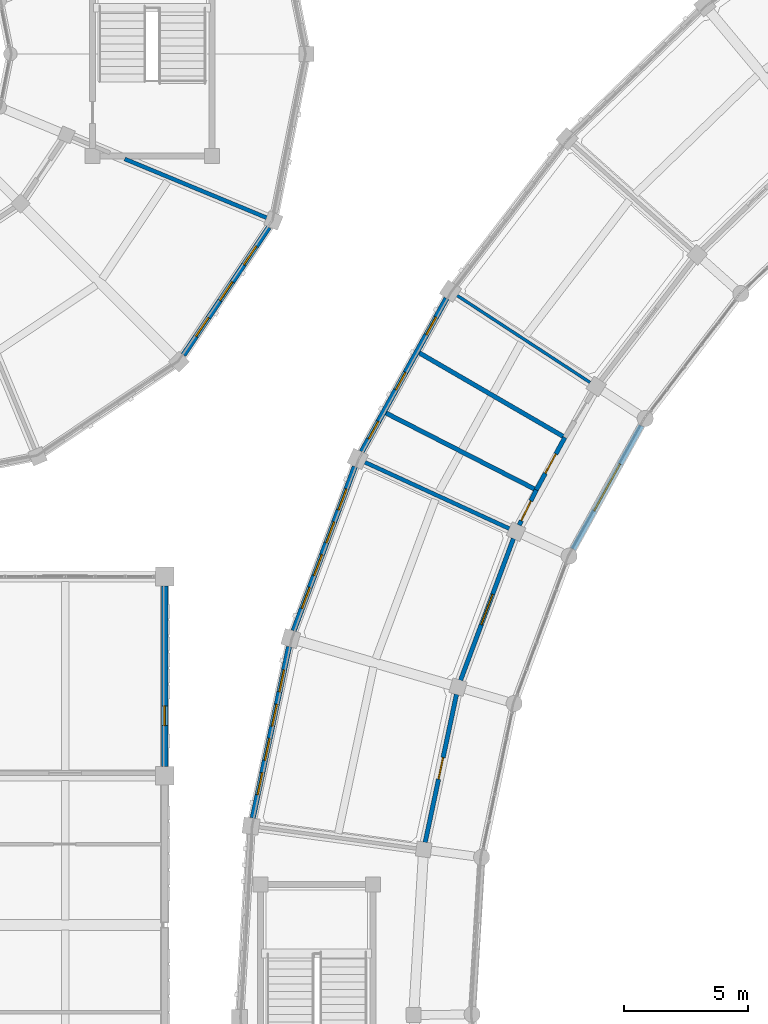
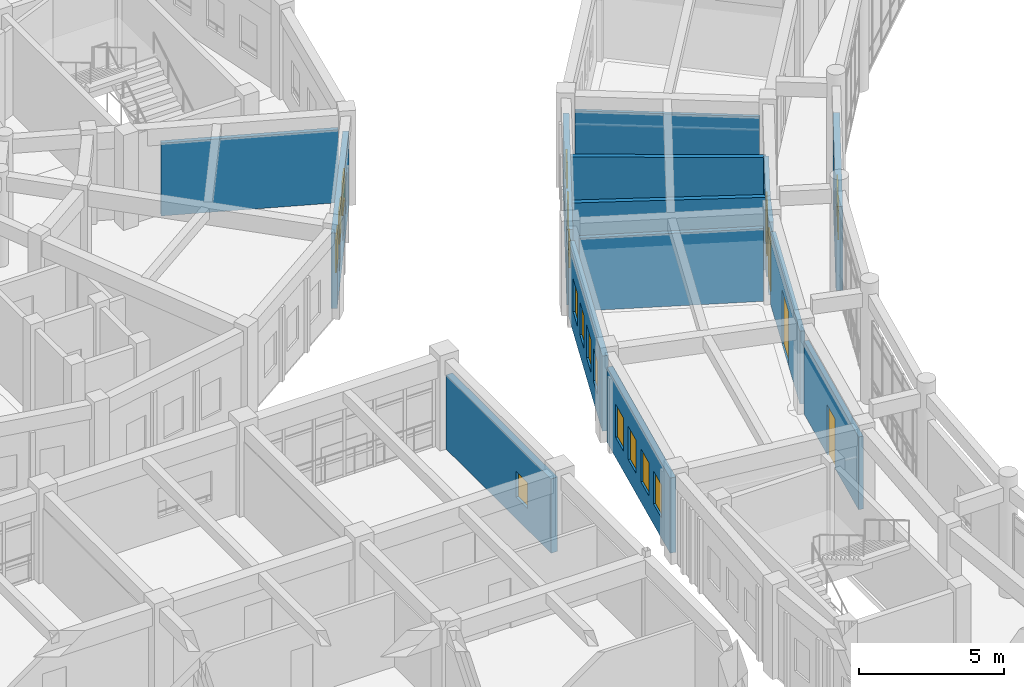
# One storey, part 128 of 159: 16 windows, 15 walls, 4 doors, 20 openings.
"""IFC4 building model written with IfcOpenShell, lengths in metres."""

import ifcopenshell
import ifcopenshell.guid

model = None  # the IFC model being written
_history = None  # IfcOwnerHistory: only IFC2X3 demands one
_inside = {}  # id of a spatial element -> (the spatial element, [elements in it])
_under = {}  # id of a project, library or spatial element -> (it, [spatial elements below it])
_declared = {}  # id of a project -> (the project, [libraries it declares])
_typed = {}  # id of a type object -> (the type object, [elements of that type])
_made_of = {}  # id of a material, layer set ... -> (it, [elements and type objects made of it])


def new_model(schema):
    """Start an empty IFC model of exactly this schema.

    Asked for "IFC4X3", IfcOpenShell would pick the latest addendum, in which some entities
    have other attributes; the version numbers below select the first issue.
    IFC2X3 requires an IfcOwnerHistory on every rooted entity: one is made here for all.
    """
    global model, _history
    if schema == "IFC4X3":
        model = ifcopenshell.file(schema_version=(4, 3, 0, 0))
    else:
        model = ifcopenshell.file(schema=schema)
    _inside.clear()
    _under.clear()
    _declared.clear()
    _typed.clear()
    _made_of.clear()
    _history = None
    if model.schema == "IFC2X3":
        org = make("IfcOrganization", Name="unknown")
        user = make(
            "IfcPersonAndOrganization",
            ThePerson=make("IfcPerson", FamilyName="unknown"),
            TheOrganization=org,
        )
        app = make(
            "IfcApplication",
            ApplicationDeveloper=org,
            Version="unknown",
            ApplicationFullName="unknown",
            ApplicationIdentifier="unknown",
        )
        _history = make(
            "IfcOwnerHistory",
            OwningUser=user,
            OwningApplication=app,
            ChangeAction="ADDED",
            CreationDate=0,
        )
    return model


def make(cls, **values):
    """One entity of the class cls with the attributes given. An attribute that is None is left unset."""
    return model.create_entity(
        cls, **{name: value for name, value in values.items() if value is not None}
    )


def rooted(cls, **values):
    """An entity with a GlobalId (a new one), such as an element, a storey or a relation."""
    return make(cls, GlobalId=ifcopenshell.guid.new(), OwnerHistory=_history, **values)


def si_unit(unit_type, name, prefix=None):
    """IfcSIUnit, for example si_unit("LENGTHUNIT", "METRE", prefix="MILLI")."""
    return make("IfcSIUnit", UnitType=unit_type, Prefix=prefix, Name=name)


def assignment(units):
    """IfcUnitAssignment: the units of a project."""
    return None if units is None else make("IfcUnitAssignment", Units=units)


def point(xyz):
    """IfcCartesianPoint."""
    return None if xyz is None else make("IfcCartesianPoint", Coordinates=xyz)


def direction(xyz):
    """IfcDirection."""
    return None if xyz is None else make("IfcDirection", DirectionRatios=xyz)


def frame(location, z_axis=None, x_axis=None):
    """IfcAxis2Placement3D, a coordinate frame: its origin and axes. An axis left out is left unset."""
    return make(
        "IfcAxis2Placement3D",
        Location=point(location),
        Axis=direction(z_axis),
        RefDirection=direction(x_axis),
    )


def frame_2d(location, x_axis=None):
    """IfcAxis2Placement2D, a coordinate frame in the plane: its origin and x axis."""
    return make(
        "IfcAxis2Placement2D", Location=point(location), RefDirection=direction(x_axis)
    )


def origin():
    """The frame at (0, 0, 0) with its axes left unset."""
    return frame((0.0, 0.0, 0.0))


def place(relative_to, where):
    """IfcLocalPlacement: puts the frame where relative to a parent placement (None: the world)."""
    return make(
        "IfcLocalPlacement", PlacementRelTo=relative_to, RelativePlacement=where
    )


def context(
    kind, dimensions, precision=None, world=None, true_north=None, identifier=None
):
    """IfcGeometricRepresentationContext, for example the 3D "Model" context."""
    return make(
        "IfcGeometricRepresentationContext",
        ContextIdentifier=identifier,
        ContextType=kind,
        CoordinateSpaceDimension=dimensions,
        Precision=precision,
        WorldCoordinateSystem=world,
        TrueNorth=true_north,
    )


def subcontext(parent, identifier, kind, view, scale=None):
    """IfcGeometricRepresentationSubContext, for example "Body" below "Model"."""
    return make(
        "IfcGeometricRepresentationSubContext",
        ContextIdentifier=identifier,
        ContextType=kind,
        ParentContext=parent,
        TargetScale=scale,
        TargetView=view,
    )


def project(units=None, contexts=None):
    """IfcProject with its units and contexts."""
    return rooted(
        "IfcProject",
        Name="project",
        RepresentationContexts=contexts,
        UnitsInContext=assignment(units),
    )


def spatial(cls, under=None, at=None, **own):
    """A site, building, storey or space (cls), placed at a placement, below another one or the project."""
    s = rooted(cls, ObjectPlacement=at, **own)
    if under is not None:
        _under.setdefault(under.id(), (under, []))[1].append(s)
    return s


def profile(cls, at=None, kind="AREA", **sizes):
    """A parametric profile (cls). Its sizes go by their IFC names, for example OverallWidth=200.0."""
    return make(cls, ProfileType=kind, Position=at, **sizes)


def rectangle(**sizes):
    """IfcRectangleProfileDef."""
    return profile("IfcRectangleProfileDef", **sizes)


def extrude(swept, where, along, depth):
    """IfcExtrudedAreaSolid: the profile swept, set in the frame where, extruded along a direction by depth."""
    return make(
        "IfcExtrudedAreaSolid",
        SweptArea=swept,
        Position=where,
        ExtrudedDirection=direction(along),
        Depth=depth,
    )


def shape(context_of_items, identifier, shape_type, items):
    """IfcShapeRepresentation: the items that make up one representation, for example the "Body"."""
    return make(
        "IfcShapeRepresentation",
        ContextOfItems=context_of_items,
        RepresentationIdentifier=identifier,
        RepresentationType=shape_type,
        Items=items,
    )


def material(Name=None, Category=None):
    """IfcMaterial."""
    return make("IfcMaterial", Name=Name, Category=Category)


def layer(
    of_material, thickness, ventilated=None, Name=None, Category=None, Priority=None
):
    """IfcMaterialLayer: one layer of a wall or slab, of a material (None: an air gap)."""
    return make(
        "IfcMaterialLayer",
        Material=of_material,
        LayerThickness=thickness,
        IsVentilated=ventilated,
        Name=Name,
        Category=Category,
        Priority=Priority,
    )


def layer_set(layers, Name=None):
    """IfcMaterialLayerSet."""
    return make("IfcMaterialLayerSet", MaterialLayers=layers, LayerSetName=Name)


def made_of(thing, what):
    """Note that an element or type object is made of a material, layer set ...; save() writes the relation."""
    if what is not None:
        _made_of.setdefault(what.id(), (what, []))[1].append(thing)
    return thing


def type_object(cls, material=None, **own):
    """A type object (cls), such as IfcWallType, which elements share."""
    return made_of(rooted(cls, **own), material)


def element(
    cls,
    number,
    at=None,
    inside=None,
    cuts=None,
    type_object=None,
    material=None,
    context=None,
    identifier="Body",
    shape_type=None,
    held_by="IfcProductDefinitionShape",
    body=None,
    shapes=None,
    **own,
):
    """One element of the class cls, such as IfcWall. Its Tag is "e" and its number.

    at: its placement. inside: the storey or other place that contains it. cuts: it is an
    opening in that element (IfcRelVoidsElement). A single representation is given by context,
    identifier, shape_type and body (its items); several are given by shapes. held_by: the class
    of the entity that holds the representations. save() writes the other relations.
    """
    e = rooted(cls, Tag="e%d" % number, ObjectPlacement=at, **own)
    if body is not None:
        shapes = [shape(context, identifier, shape_type, body)]
    if shapes is not None:
        e.Representation = make(held_by, Representations=shapes)
    if inside is not None:
        _inside.setdefault(inside.id(), (inside, []))[1].append(e)
    if cuts is not None:
        rooted(
            "IfcRelVoidsElement", RelatingBuildingElement=cuts, RelatedOpeningElement=e
        )
    if type_object is not None:
        _typed.setdefault(type_object.id(), (type_object, []))[1].append(e)
    return made_of(e, material)


def fill(opening, filler):
    """IfcRelFillsElement: the door or window that sits in an opening."""
    return rooted(
        "IfcRelFillsElement",
        RelatingOpeningElement=opening,
        RelatedBuildingElement=filler,
    )


def aggregate(whole, parts):
    """IfcRelAggregates: a whole, such as a stair, and the parts it consists of."""
    return rooted("IfcRelAggregates", RelatingObject=whole, RelatedObjects=parts)


def save(model, path):
    """Write the relations noted so far, then the file.

    IfcRelAggregates (storeys below a building ...), IfcRelContainedInSpatialStructure (elements
    in a storey), IfcRelDefinesByType, IfcRelAssociatesMaterial and IfcRelDeclares: one each for
    every whole, place, type object, material and project.
    """
    for whole, parts in _under.values():
        aggregate(whole, parts)
    for where, things in _inside.values():
        rooted(
            "IfcRelContainedInSpatialStructure",
            RelatedElements=things,
            RelatingStructure=where,
        )
    for kind, things in _typed.values():
        rooted("IfcRelDefinesByType", RelatedObjects=things, RelatingType=kind)
    for what, things in _made_of.values():
        rooted("IfcRelAssociatesMaterial", RelatedObjects=things, RelatingMaterial=what)
    for by, libraries in _declared.values():
        rooted("IfcRelDeclares", RelatingContext=by, RelatedDefinitions=libraries)
    model.write(path)


model = new_model("IFC4")

# Units and contexts
model_context = context("Model", 3, precision=1e-05, world=origin(), true_north=direction((0.0, 1.0)))
body_context = subcontext(model_context, "Body", "Model", "MODEL_VIEW")
ifc_project = project(units=[si_unit("LENGTHUNIT", "METRE"), si_unit("AREAUNIT", "SQUARE_METRE"), si_unit("VOLUMEUNIT", "CUBIC_METRE"), si_unit("PLANEANGLEUNIT", "RADIAN"), si_unit("MASSUNIT", "GRAM", prefix="KILO")], contexts=[model_context])

# Site, building, storey
site_placement = place(None, origin())
site = spatial("IfcSite", under=ifc_project, at=site_placement, CompositionType="ELEMENT")
building_placement = place(site_placement, origin())
building = spatial("IfcBuilding", under=site, at=building_placement, Name="Celadon Cloister-Ring School", CompositionType="ELEMENT")
storey_placement = place(building_placement, frame((0.0, 0.0, 4.5)))
storey = spatial("IfcBuildingStorey", under=building, at=storey_placement, Name="L01", CompositionType="ELEMENT", Elevation=4.5)

# Wall, opening, window
ifc_material_1 = material(Name="Rendered concrete blockwork", Category="masonry")
ifc_layer_1 = layer(ifc_material_1, 0.260009765625)
ifc_layer_set_1 = layer_set([ifc_layer_1], Name="Rendered concrete blockwork")
wall_type_1 = type_object("IfcWallType", Name="WT-EX2", PredefinedType="SOLIDWALL", material=ifc_layer_set_1)
wall_1_placement = place(storey_placement, frame((32.0, 75.623046875, 0.0), z_axis=(0.0, 0.0, 1.0), x_axis=(0.0, -1.0, 0.0)))
wall_1 = element("IfcWall", 1, at=wall_1_placement, inside=storey, type_object=wall_type_1, Name="Exterior Wall 0503", PredefinedType="SOLIDWALL", context=body_context, shape_type="SweptSolid", body=[
    extrude(rectangle(XDim=7.24609375, YDim=0.260009765625, at=frame_2d((3.623046875, 0.0))), origin(), (0.0, 0.0, 1.0), 3.132080078125),
])
opening_1_placement = place(wall_1_placement, frame((4.81689453125, 0.0, 0.89990234375)))
opening_1 = element("IfcOpeningElement", 2, at=opening_1_placement, cuts=wall_1, Name="Opening WN-01", PredefinedType="OPENING", context=body_context, shape_type="SweptSolid", body=[
    extrude(rectangle(XDim=0.800048828125, YDim=1.10009765625, at=frame_2d((0.39990234375, 0.550048828125))), frame((0.0, 0.14013671875, 0.0), z_axis=(0.0, -1.0, 0.0), x_axis=(1.0, 0.0, 0.0)), (0.0, 0.0, 1.0), 0.280029296875),
])
ifc_material_2 = material(Name="Tempered laminated insulating glass", Category="glass")
window_type_1 = type_object("IfcWindowType", Name="WN-01", PartitioningType="SINGLE_PANEL", PredefinedType="WINDOW", material=ifc_material_2)
window_1_placement = place(opening_1_placement, origin())
window_1 = element("IfcWindow", 3, at=window_1_placement, inside=storey, type_object=window_type_1, Name="Window 1000", OverallHeight=1.10009765625, OverallWidth=0.800048828125, PartitioningType="SINGLE_PANEL", PredefinedType="WINDOW", context=body_context, shape_type="SweptSolid", body=[
    extrude(rectangle(XDim=0.800048828125, YDim=1.10009765625, at=frame_2d((0.39990234375, 0.550048828125))), frame((0.0, 0.030029296875, 0.0), z_axis=(0.0, -1.0, 0.0), x_axis=(1.0, 0.0, 0.0)), (0.0, 0.0, 1.0), 0.06005859375),
])
fill(opening_1, window_1)

ifc_material_3 = material(Name="Rendered concrete blockwork", Category="masonry")
ifc_layer_2 = layer(ifc_material_3, 0.239990234375)
ifc_layer_set_2 = layer_set([ifc_layer_2], Name="Rendered concrete blockwork")
wall_type_2 = type_object("IfcWallType", Name="WT-EX3", PredefinedType="SOLIDWALL", material=ifc_layer_set_2)
wall_2_placement = place(storey_placement, frame((51.15087890625, 82.06298828125, 0.0), z_axis=(0.0, 0.0, 1.0), x_axis=(-0.483955379171, -0.875092675647, 0.0)))
wall_2 = element("IfcWall", 4, at=wall_2_placement, inside=storey, type_object=wall_type_2, Name="Exterior Wall 0058", PredefinedType="SOLIDWALL", context=body_context, shape_type="SweptSolid", body=[
    extrude(rectangle(XDim=5.665771484375, YDim=0.239990234375, at=frame_2d((2.8330078125, 0.0))), origin(), (0.0, 0.0, 1.0), 3.550048828125),
])
opening_2_placement = place(wall_2_placement, frame((1.758056640625, 0.0, 0.89990234375)))
opening_2 = element("IfcOpeningElement", 5, at=opening_2_placement, cuts=wall_2, Name="Opening WN-19", PredefinedType="OPENING", context=body_context, shape_type="SweptSolid", body=[
    extrude(rectangle(XDim=2.14990234375, YDim=1.25, at=frame_2d((1.074951171875, 0.625))), frame((0.0, 0.1298828125, 0.0), z_axis=(0.0, -1.0, 0.0), x_axis=(1.0, 0.0, 0.0)), (0.0, 0.0, 1.0), 0.260009765625),
])
ifc_material_4 = material(Name="Tempered laminated insulating glass", Category="glass")
window_type_2 = type_object("IfcWindowType", Name="WN-19", PartitioningType="DOUBLE_PANEL_VERTICAL", PredefinedType="WINDOW", material=ifc_material_4)
window_2_placement = place(opening_2_placement, origin())
window_2 = element("IfcWindow", 6, at=window_2_placement, inside=storey, type_object=window_type_2, Name="Window 0144", OverallHeight=1.25, OverallWidth=2.14990234375, PartitioningType="SINGLE_PANEL", PredefinedType="WINDOW", context=body_context, shape_type="SweptSolid", body=[
    extrude(rectangle(XDim=2.14990234375, YDim=1.25, at=frame_2d((1.074951171875, 0.625))), frame((0.0, 0.030029296875, 0.0), z_axis=(0.0, -1.0, 0.0), x_axis=(1.0, 0.0, 0.0)), (0.0, 0.0, 1.0), 0.06005859375),
])
fill(opening_2, window_2)

# Wall, openings, windows
ifc_material_5 = material(Name="Perforated terracotta clay brick masonry", Category="masonry")
ifc_layer_3 = layer(ifc_material_5, 0.219970703125)
ifc_layer_set_3 = layer_set([ifc_layer_3], Name="Perforated terracotta clay brick masonry")
wall_type_3 = type_object("IfcWallType", Name="WT-EX4", PredefinedType="SOLIDWALL", material=ifc_layer_set_3)
wall_3_placement = place(storey_placement, frame((39.9189453125, 81.02001953125, 0.0), z_axis=(0.0, 0.0, 1.0), x_axis=(0.483873000068, 0.87513822897, 0.0)))
wall_3 = element("IfcWall", 7, at=wall_3_placement, inside=storey, type_object=wall_type_3, Name="Exterior Wall 0057", PredefinedType="SOLIDWALL", context=body_context, shape_type="SweptSolid", body=[
    extrude(rectangle(XDim=7.031005859375, YDim=0.219970703125, at=frame_2d((3.515625, 0.0))), origin(), (0.0, 0.0, 1.0), 3.172119140625),
])
opening_3_placement = place(wall_3_placement, frame((0.583984375, 0.0, 1.14990234375)))
opening_3 = element("IfcOpeningElement", 8, at=opening_3_placement, cuts=wall_3, Name="Opening WN-01", PredefinedType="OPENING", context=body_context, shape_type="SweptSolid", body=[
    extrude(rectangle(XDim=0.800048828125, YDim=1.10009765625, at=frame_2d((0.39990234375, 0.550048828125))), frame((0.0, 0.1201171875, 0.0), z_axis=(0.0, -1.0, 0.0), x_axis=(1.0, 0.0, 0.0)), (0.0, 0.0, 1.0), 0.239990234375),
])
opening_4_placement = place(wall_3_placement, frame((2.833984375, 0.0, 1.14990234375)))
opening_4 = element("IfcOpeningElement", 9, at=opening_4_placement, cuts=wall_3, Name="Opening WN-01", PredefinedType="OPENING", context=body_context, shape_type="SweptSolid", body=[
    extrude(rectangle(XDim=0.800048828125, YDim=1.10009765625, at=frame_2d((0.39990234375, 0.550048828125))), frame((0.0, 0.1201171875, 0.0), z_axis=(0.0, -1.0, 0.0), x_axis=(1.0, 0.0, 0.0)), (0.0, 0.0, 1.0), 0.239990234375),
])
opening_5_placement = place(wall_3_placement, frame((5.364990234375, 0.0, 1.14990234375)))
opening_5 = element("IfcOpeningElement", 10, at=opening_5_placement, cuts=wall_3, Name="Opening WN-01", PredefinedType="OPENING", context=body_context, shape_type="SweptSolid", body=[
    extrude(rectangle(XDim=0.800048828125, YDim=1.10009765625, at=frame_2d((0.39990234375, 0.550048828125))), frame((0.0, 0.1201171875, 0.0), z_axis=(0.0, -1.0, 0.0), x_axis=(1.0, 0.0, 0.0)), (0.0, 0.0, 1.0), 0.239990234375),
])
window_3_placement = place(opening_3_placement, origin())
window_3 = element("IfcWindow", 11, at=window_3_placement, inside=storey, type_object=window_type_1, Name="Window 0141", OverallHeight=1.10009765625, OverallWidth=0.800048828125, PartitioningType="SINGLE_PANEL", PredefinedType="WINDOW", context=body_context, shape_type="SweptSolid", body=[
    extrude(rectangle(XDim=0.800048828125, YDim=1.10009765625, at=frame_2d((0.39990234375, 0.550048828125))), frame((0.0, 0.030029296875, 0.0), z_axis=(0.0, -1.0, 0.0), x_axis=(1.0, 0.0, 0.0)), (0.0, 0.0, 1.0), 0.06005859375),
])
fill(opening_3, window_3)
window_4_placement = place(opening_4_placement, origin())
window_4 = element("IfcWindow", 12, at=window_4_placement, inside=storey, type_object=window_type_1, Name="Window 0142", OverallHeight=1.10009765625, OverallWidth=0.800048828125, PartitioningType="SINGLE_PANEL", PredefinedType="WINDOW", context=body_context, shape_type="SweptSolid", body=[
    extrude(rectangle(XDim=0.800048828125, YDim=1.10009765625, at=frame_2d((0.39990234375, 0.550048828125))), frame((0.0, 0.030029296875, 0.0), z_axis=(0.0, -1.0, 0.0), x_axis=(1.0, 0.0, 0.0)), (0.0, 0.0, 1.0), 0.06005859375),
])
fill(opening_4, window_4)
window_5_placement = place(opening_5_placement, origin())
window_5 = element("IfcWindow", 13, at=window_5_placement, inside=storey, type_object=window_type_1, Name="Window 0143", OverallHeight=1.10009765625, OverallWidth=0.800048828125, PartitioningType="SINGLE_PANEL", PredefinedType="WINDOW", context=body_context, shape_type="SweptSolid", body=[
    extrude(rectangle(XDim=0.800048828125, YDim=1.10009765625, at=frame_2d((0.39990234375, 0.550048828125))), frame((0.0, 0.030029296875, 0.0), z_axis=(0.0, -1.0, 0.0), x_axis=(1.0, 0.0, 0.0)), (0.0, 0.0, 1.0), 0.06005859375),
])
fill(opening_5, window_5)

wall_4_placement = place(storey_placement, frame((37.181884765625, 73.822998046875, 0.0), z_axis=(0.0, 0.0, 1.0), x_axis=(0.349448583385, 0.936955541939, 0.0)))
wall_4 = element("IfcWall", 14, at=wall_4_placement, inside=storey, type_object=wall_type_3, Name="Exterior Wall 0059", PredefinedType="SOLIDWALL", context=body_context, shape_type="SweptSolid", body=[
    extrude(rectangle(XDim=7.03125, YDim=0.219970703125, at=frame_2d((3.515625, 0.0))), origin(), (0.0, 0.0, 1.0), 3.172119140625),
])
opening_6_placement = place(wall_4_placement, frame((0.9560546875, 0.0, 0.85009765625)))
opening_6 = element("IfcOpeningElement", 15, at=opening_6_placement, cuts=wall_4, Name="Opening WN-21", PredefinedType="OPENING", context=body_context, shape_type="SweptSolid", body=[
    extrude(rectangle(XDim=0.89990234375, YDim=1.39990234375, at=frame_2d((0.449951171875, 0.699951171875))), frame((0.0, 0.1201171875, 0.0), z_axis=(0.0, -1.0, 0.0), x_axis=(1.0, 0.0, 0.0)), (0.0, 0.0, 1.0), 0.239990234375),
])
opening_7_placement = place(wall_4_placement, frame((2.363037109375, 0.0, 0.85009765625)))
opening_7 = element("IfcOpeningElement", 16, at=opening_7_placement, cuts=wall_4, Name="Opening WN-21", PredefinedType="OPENING", context=body_context, shape_type="SweptSolid", body=[
    extrude(rectangle(XDim=0.89990234375, YDim=1.39990234375, at=frame_2d((0.449951171875, 0.699951171875))), frame((0.0, 0.1201171875, 0.0), z_axis=(0.0, -1.0, 0.0), x_axis=(1.0, 0.0, 0.0)), (0.0, 0.0, 1.0), 0.239990234375),
])
opening_8_placement = place(wall_4_placement, frame((3.76904296875, 0.0, 0.85009765625)))
opening_8 = element("IfcOpeningElement", 17, at=opening_8_placement, cuts=wall_4, Name="Opening WN-21", PredefinedType="OPENING", context=body_context, shape_type="SweptSolid", body=[
    extrude(rectangle(XDim=0.89990234375, YDim=1.39990234375, at=frame_2d((0.449951171875, 0.699951171875))), frame((0.0, 0.1201171875, 0.0), z_axis=(0.0, -1.0, 0.0), x_axis=(1.0, 0.0, 0.0)), (0.0, 0.0, 1.0), 0.239990234375),
])
opening_9_placement = place(wall_4_placement, frame((5.175048828125, 0.0, 0.85009765625)))
opening_9 = element("IfcOpeningElement", 18, at=opening_9_placement, cuts=wall_4, Name="Opening WN-21", PredefinedType="OPENING", context=body_context, shape_type="SweptSolid", body=[
    extrude(rectangle(XDim=0.89990234375, YDim=1.39990234375, at=frame_2d((0.449951171875, 0.699951171875))), frame((0.0, 0.1201171875, 0.0), z_axis=(0.0, -1.0, 0.0), x_axis=(1.0, 0.0, 0.0)), (0.0, 0.0, 1.0), 0.239990234375),
])
ifc_material_6 = material(Name="Tempered laminated insulating glass", Category="glass")
window_type_3 = type_object("IfcWindowType", Name="WN-21", PartitioningType="SINGLE_PANEL", PredefinedType="WINDOW", material=ifc_material_6)
window_6_placement = place(opening_6_placement, origin())
window_6 = element("IfcWindow", 19, at=window_6_placement, inside=storey, type_object=window_type_3, Name="Window 0145", OverallHeight=1.39990234375, OverallWidth=0.89990234375, PartitioningType="SINGLE_PANEL", PredefinedType="WINDOW", context=body_context, shape_type="SweptSolid", body=[
    extrude(rectangle(XDim=0.89990234375, YDim=1.39990234375, at=frame_2d((0.449951171875, 0.699951171875))), frame((0.0, 0.030029296875, 0.0), z_axis=(0.0, -1.0, 0.0), x_axis=(1.0, 0.0, 0.0)), (0.0, 0.0, 1.0), 0.06005859375),
])
fill(opening_6, window_6)
window_7_placement = place(opening_7_placement, origin())
window_7 = element("IfcWindow", 20, at=window_7_placement, inside=storey, type_object=window_type_3, Name="Window 0146", OverallHeight=1.39990234375, OverallWidth=0.89990234375, PartitioningType="SINGLE_PANEL", PredefinedType="WINDOW", context=body_context, shape_type="SweptSolid", body=[
    extrude(rectangle(XDim=0.89990234375, YDim=1.39990234375, at=frame_2d((0.449951171875, 0.699951171875))), frame((0.0, 0.030029296875, 0.0), z_axis=(0.0, -1.0, 0.0), x_axis=(1.0, 0.0, 0.0)), (0.0, 0.0, 1.0), 0.06005859375),
])
fill(opening_7, window_7)
window_8_placement = place(opening_8_placement, origin())
window_8 = element("IfcWindow", 21, at=window_8_placement, inside=storey, type_object=window_type_3, Name="Window 0147", OverallHeight=1.39990234375, OverallWidth=0.89990234375, PartitioningType="SINGLE_PANEL", PredefinedType="WINDOW", context=body_context, shape_type="SweptSolid", body=[
    extrude(rectangle(XDim=0.89990234375, YDim=1.39990234375, at=frame_2d((0.449951171875, 0.699951171875))), frame((0.0, 0.030029296875, 0.0), z_axis=(0.0, -1.0, 0.0), x_axis=(1.0, 0.0, 0.0)), (0.0, 0.0, 1.0), 0.06005859375),
])
fill(opening_8, window_8)
window_9_placement = place(opening_9_placement, origin())
window_9 = element("IfcWindow", 22, at=window_9_placement, inside=storey, type_object=window_type_3, Name="Window 0148", OverallHeight=1.39990234375, OverallWidth=0.89990234375, PartitioningType="SINGLE_PANEL", PredefinedType="WINDOW", context=body_context, shape_type="SweptSolid", body=[
    extrude(rectangle(XDim=0.89990234375, YDim=1.39990234375, at=frame_2d((0.449951171875, 0.699951171875))), frame((0.0, 0.030029296875, 0.0), z_axis=(0.0, -1.0, 0.0), x_axis=(1.0, 0.0, 0.0)), (0.0, 0.0, 1.0), 0.06005859375),
])
fill(opening_9, window_9)

wall_5_placement = place(storey_placement, frame((35.5390625, 66.300048828125, 0.0), z_axis=(0.0, 0.0, 1.0), x_axis=(0.207081302077, 0.978323736976, 0.0)))
wall_5 = element("IfcWall", 23, at=wall_5_placement, inside=storey, type_object=wall_type_3, Name="Exterior Wall 0060", PredefinedType="SOLIDWALL", context=body_context, shape_type="SweptSolid", body=[
    extrude(rectangle(XDim=7.03125, YDim=0.219970703125, at=frame_2d((3.515625, 0.0))), origin(), (0.0, 0.0, 1.0), 3.172119140625),
])
opening_10_placement = place(wall_5_placement, frame((0.9560546875, 0.0, 0.85009765625)))
opening_10 = element("IfcOpeningElement", 24, at=opening_10_placement, cuts=wall_5, Name="Opening WN-21", PredefinedType="OPENING", context=body_context, shape_type="SweptSolid", body=[
    extrude(rectangle(XDim=0.89990234375, YDim=1.39990234375, at=frame_2d((0.449951171875, 0.699951171875))), frame((0.0, 0.1201171875, 0.0), z_axis=(0.0, -1.0, 0.0), x_axis=(1.0, 0.0, 0.0)), (0.0, 0.0, 1.0), 0.239990234375),
])
opening_11_placement = place(wall_5_placement, frame((2.363037109375, 0.0, 0.85009765625)))
opening_11 = element("IfcOpeningElement", 25, at=opening_11_placement, cuts=wall_5, Name="Opening WN-21", PredefinedType="OPENING", context=body_context, shape_type="SweptSolid", body=[
    extrude(rectangle(XDim=0.89990234375, YDim=1.39990234375, at=frame_2d((0.449951171875, 0.699951171875))), frame((0.0, 0.1201171875, 0.0), z_axis=(0.0, -1.0, 0.0), x_axis=(1.0, 0.0, 0.0)), (0.0, 0.0, 1.0), 0.239990234375),
])
opening_12_placement = place(wall_5_placement, frame((3.76904296875, 0.0, 0.85009765625)))
opening_12 = element("IfcOpeningElement", 26, at=opening_12_placement, cuts=wall_5, Name="Opening WN-21", PredefinedType="OPENING", context=body_context, shape_type="SweptSolid", body=[
    extrude(rectangle(XDim=0.89990234375, YDim=1.39990234375, at=frame_2d((0.449951171875, 0.699951171875))), frame((0.0, 0.1201171875, 0.0), z_axis=(0.0, -1.0, 0.0), x_axis=(1.0, 0.0, 0.0)), (0.0, 0.0, 1.0), 0.239990234375),
])
opening_13_placement = place(wall_5_placement, frame((5.175048828125, 0.0, 0.85009765625)))
opening_13 = element("IfcOpeningElement", 27, at=opening_13_placement, cuts=wall_5, Name="Opening WN-21", PredefinedType="OPENING", context=body_context, shape_type="SweptSolid", body=[
    extrude(rectangle(XDim=0.89990234375, YDim=1.39990234375, at=frame_2d((0.449951171875, 0.699951171875))), frame((0.0, 0.1201171875, 0.0), z_axis=(0.0, -1.0, 0.0), x_axis=(1.0, 0.0, 0.0)), (0.0, 0.0, 1.0), 0.239990234375),
])
window_10_placement = place(opening_10_placement, origin())
window_10 = element("IfcWindow", 28, at=window_10_placement, inside=storey, type_object=window_type_3, Name="Window 0149", OverallHeight=1.39990234375, OverallWidth=0.89990234375, PartitioningType="SINGLE_PANEL", PredefinedType="WINDOW", context=body_context, shape_type="SweptSolid", body=[
    extrude(rectangle(XDim=0.89990234375, YDim=1.39990234375, at=frame_2d((0.449951171875, 0.699951171875))), frame((0.0, 0.030029296875, 0.0), z_axis=(0.0, -1.0, 0.0), x_axis=(1.0, 0.0, 0.0)), (0.0, 0.0, 1.0), 0.06005859375),
])
fill(opening_10, window_10)
window_11_placement = place(opening_11_placement, origin())
window_11 = element("IfcWindow", 29, at=window_11_placement, inside=storey, type_object=window_type_3, Name="Window 0150", OverallHeight=1.39990234375, OverallWidth=0.89990234375, PartitioningType="SINGLE_PANEL", PredefinedType="WINDOW", context=body_context, shape_type="SweptSolid", body=[
    extrude(rectangle(XDim=0.89990234375, YDim=1.39990234375, at=frame_2d((0.449951171875, 0.699951171875))), frame((0.0, 0.030029296875, 0.0), z_axis=(0.0, -1.0, 0.0), x_axis=(1.0, 0.0, 0.0)), (0.0, 0.0, 1.0), 0.06005859375),
])
fill(opening_11, window_11)
window_12_placement = place(opening_12_placement, origin())
window_12 = element("IfcWindow", 30, at=window_12_placement, inside=storey, type_object=window_type_3, Name="Window 0151", OverallHeight=1.39990234375, OverallWidth=0.89990234375, PartitioningType="SINGLE_PANEL", PredefinedType="WINDOW", context=body_context, shape_type="SweptSolid", body=[
    extrude(rectangle(XDim=0.89990234375, YDim=1.39990234375, at=frame_2d((0.449951171875, 0.699951171875))), frame((0.0, 0.030029296875, 0.0), z_axis=(0.0, -1.0, 0.0), x_axis=(1.0, 0.0, 0.0)), (0.0, 0.0, 1.0), 0.06005859375),
])
fill(opening_12, window_12)
window_13_placement = place(opening_13_placement, origin())
window_13 = element("IfcWindow", 31, at=window_13_placement, inside=storey, type_object=window_type_3, Name="Window 0152", OverallHeight=1.39990234375, OverallWidth=0.89990234375, PartitioningType="SINGLE_PANEL", PredefinedType="WINDOW", context=body_context, shape_type="SweptSolid", body=[
    extrude(rectangle(XDim=0.89990234375, YDim=1.39990234375, at=frame_2d((0.449951171875, 0.699951171875))), frame((0.0, 0.030029296875, 0.0), z_axis=(0.0, -1.0, 0.0), x_axis=(1.0, 0.0, 0.0)), (0.0, 0.0, 1.0), 0.06005859375),
])
fill(opening_13, window_13)

wall_6_placement = place(storey_placement, frame((36.18505859375, 90.029052734375, 0.0), z_axis=(0.0, 0.0, 1.0), x_axis=(-0.555658736667, -0.831410469242, 0.0)))
wall_6 = element("IfcWall", 32, at=wall_6_placement, inside=storey, type_object=wall_type_3, Name="Exterior Wall 0248", PredefinedType="SOLIDWALL", context=body_context, shape_type="SweptSolid", body=[
    extrude(rectangle(XDim=6.169189453125, YDim=0.219970703125, at=frame_2d((3.08447265625, 0.0))), origin(), (0.0, 0.0, 1.0), 3.172119140625),
])
opening_14_placement = place(wall_6_placement, frame((0.906982421875, 0.0, 0.85009765625)))
opening_14 = element("IfcOpeningElement", 33, at=opening_14_placement, cuts=wall_6, Name="Opening WN-21", PredefinedType="OPENING", context=body_context, shape_type="SweptSolid", body=[
    extrude(rectangle(XDim=0.89990234375, YDim=1.39990234375, at=frame_2d((0.449951171875, 0.699951171875))), frame((0.0, 0.1201171875, 0.0), z_axis=(0.0, -1.0, 0.0), x_axis=(1.0, 0.0, 0.0)), (0.0, 0.0, 1.0), 0.239990234375),
])
opening_15_placement = place(wall_6_placement, frame((2.635009765625, 0.0, 0.85009765625)))
opening_15 = element("IfcOpeningElement", 34, at=opening_15_placement, cuts=wall_6, Name="Opening WN-21", PredefinedType="OPENING", context=body_context, shape_type="SweptSolid", body=[
    extrude(rectangle(XDim=0.89990234375, YDim=1.39990234375, at=frame_2d((0.449951171875, 0.699951171875))), frame((0.0, 0.1201171875, 0.0), z_axis=(0.0, -1.0, 0.0), x_axis=(1.0, 0.0, 0.0)), (0.0, 0.0, 1.0), 0.239990234375),
])
opening_16_placement = place(wall_6_placement, frame((4.362060546875, 0.0, 0.85009765625)))
opening_16 = element("IfcOpeningElement", 35, at=opening_16_placement, cuts=wall_6, Name="Opening WN-21", PredefinedType="OPENING", context=body_context, shape_type="SweptSolid", body=[
    extrude(rectangle(XDim=0.89990234375, YDim=1.39990234375, at=frame_2d((0.449951171875, 0.699951171875))), frame((0.0, 0.1201171875, 0.0), z_axis=(0.0, -1.0, 0.0), x_axis=(1.0, 0.0, 0.0)), (0.0, 0.0, 1.0), 0.239990234375),
])
window_14_placement = place(opening_14_placement, origin())
window_14 = element("IfcWindow", 36, at=window_14_placement, inside=storey, type_object=window_type_3, Name="Window 0661", OverallHeight=1.39990234375, OverallWidth=0.89990234375, PartitioningType="SINGLE_PANEL", PredefinedType="WINDOW", context=body_context, shape_type="SweptSolid", body=[
    extrude(rectangle(XDim=0.89990234375, YDim=1.39990234375, at=frame_2d((0.449951171875, 0.699951171875))), frame((0.0, 0.030029296875, 0.0), z_axis=(0.0, -1.0, 0.0), x_axis=(1.0, 0.0, 0.0)), (0.0, 0.0, 1.0), 0.06005859375),
])
fill(opening_14, window_14)
window_15_placement = place(opening_15_placement, origin())
window_15 = element("IfcWindow", 37, at=window_15_placement, inside=storey, type_object=window_type_3, Name="Window 0662", OverallHeight=1.39990234375, OverallWidth=0.89990234375, PartitioningType="SINGLE_PANEL", PredefinedType="WINDOW", context=body_context, shape_type="SweptSolid", body=[
    extrude(rectangle(XDim=0.89990234375, YDim=1.39990234375, at=frame_2d((0.449951171875, 0.699951171875))), frame((0.0, 0.030029296875, 0.0), z_axis=(0.0, -1.0, 0.0), x_axis=(1.0, 0.0, 0.0)), (0.0, 0.0, 1.0), 0.06005859375),
])
fill(opening_15, window_15)
window_16_placement = place(opening_16_placement, origin())
window_16 = element("IfcWindow", 38, at=window_16_placement, inside=storey, type_object=window_type_3, Name="Window 0663", OverallHeight=1.39990234375, OverallWidth=0.89990234375, PartitioningType="SINGLE_PANEL", PredefinedType="WINDOW", context=body_context, shape_type="SweptSolid", body=[
    extrude(rectangle(XDim=0.89990234375, YDim=1.39990234375, at=frame_2d((0.449951171875, 0.699951171875))), frame((0.0, 0.030029296875, 0.0), z_axis=(0.0, -1.0, 0.0), x_axis=(1.0, 0.0, 0.0)), (0.0, 0.0, 1.0), 0.06005859375),
])
fill(opening_16, window_16)

# Walls
ifc_material_7 = material(Name="Plastered hollow concrete masonry", Category="masonry")
ifc_layer_4 = layer(ifc_material_7, 0.179931640625)
ifc_layer_set_4 = layer_set([ifc_layer_4], Name="Plastered hollow concrete masonry")
wall_type_4 = type_object("IfcWallType", Name="WT-PT2", PredefinedType="PARTITIONING", material=ifc_layer_set_4)
wall_7_placement = place(storey_placement, frame((48.0810546875, 81.591064453125, 0.0), z_axis=(0.0, 0.0, 1.0), x_axis=(-0.864871459639, 0.501993384719, 0.0)))
element("IfcWall", 39, at=wall_7_placement, inside=storey, type_object=wall_type_4, Name="Interior Wall 0502", PredefinedType="PARTITIONING", context=body_context, shape_type="SweptSolid", body=[
    extrude(rectangle(XDim=6.7548828125, YDim=0.179931640625, at=frame_2d((3.37744140625, 0.0))), origin(), (0.0, 0.0, 1.0), 3.072021484375),
])
wall_8_placement = place(storey_placement, frame((46.930908203125, 79.48193359375, 0.0), z_axis=(0.0, 0.0, 1.0), x_axis=(-0.890396362977, 0.455186024387, 0.0)))
element("IfcWall", 40, at=wall_8_placement, inside=storey, type_object=wall_type_4, Name="Interior Wall 0503", PredefinedType="PARTITIONING", context=body_context, shape_type="SweptSolid", body=[
    extrude(rectangle(XDim=6.77099609375, YDim=0.179931640625, at=frame_2d((3.385498046875, 0.0))), origin(), (0.0, 0.0, 1.0), 3.072021484375),
])

# Wall, opening, door
wall_9_placement = place(storey_placement, frame((48.0810546875, 81.591064453125, 0.0), z_axis=(0.0, 0.0, 1.0), x_axis=(-0.478759564311, -0.87794605733, 0.0)))
wall_9 = element("IfcWall", 41, at=wall_9_placement, inside=storey, type_object=wall_type_4, Name="Interior Wall 0510", PredefinedType="PARTITIONING", context=body_context, shape_type="SweptSolid", body=[
    extrude(rectangle(XDim=2.40234375, YDim=0.179931640625, at=frame_2d((1.201171875, 0.0))), origin(), (0.0, 0.0, 1.0), 3.072021484375),
])
opening_17_placement = place(wall_9_placement, frame((0.760986328125, 0.0, 0.0)))
opening_17 = element("IfcOpeningElement", 42, at=opening_17_placement, cuts=wall_9, Name="Opening D-0148", PredefinedType="OPENING", context=body_context, shape_type="SweptSolid", body=[
    extrude(rectangle(XDim=0.8798828125, YDim=2.10009765625, at=frame_2d((0.43994140625, 1.050048828125))), frame((0.0, 0.10009765625, 0.0), z_axis=(0.0, -1.0, 0.0), x_axis=(1.0, 0.0, 0.0)), (0.0, 0.0, 1.0), 0.199951171875),
])
ifc_material_8 = material(Name="Solid-core fire-rated hardwood leaf", Category="wood")
door_type_1 = type_object("IfcDoorType", Name="DT-01", OperationType="NOTDEFINED", PredefinedType="DOOR", material=ifc_material_8)
door_1_placement = place(opening_17_placement, origin())
door_1 = element("IfcDoor", 43, at=door_1_placement, inside=storey, type_object=door_type_1, Name="Door D-0148", OperationType="SINGLE_SWING_RIGHT", OverallHeight=2.10009765625, OverallWidth=0.8798828125, PredefinedType="DOOR", context=body_context, shape_type="SweptSolid", body=[
    extrude(rectangle(XDim=0.8798828125, YDim=2.10009765625, at=frame_2d((0.43994140625, 1.050048828125))), frame((0.0, 0.02490234375, 0.0), z_axis=(0.0, -1.0, 0.0), x_axis=(1.0, 0.0, 0.0)), (0.0, 0.0, 1.0), 0.050048828125),
])
fill(opening_17, door_1)

wall_10_placement = place(storey_placement, frame((46.930908203125, 79.48193359375, 0.0), z_axis=(0.0, 0.0, 1.0), x_axis=(-0.436524333187, -0.899692451083, 0.0)))
wall_10 = element("IfcWall", 44, at=wall_10_placement, inside=storey, type_object=wall_type_4, Name="Interior Wall 0511", PredefinedType="PARTITIONING", context=body_context, shape_type="SweptSolid", body=[
    extrude(rectangle(XDim=1.576171875, YDim=0.179931640625, at=frame_2d((0.7880859375, 0.0))), origin(), (0.0, 0.0, 1.0), 3.072021484375),
])
opening_18_placement = place(wall_10_placement, frame((0.493896484375, 0.0, 0.0)))
opening_18 = element("IfcOpeningElement", 45, at=opening_18_placement, cuts=wall_10, Name="Opening D-0149", PredefinedType="OPENING", context=body_context, shape_type="SweptSolid", body=[
    extrude(rectangle(XDim=0.8798828125, YDim=2.10009765625, at=frame_2d((0.43994140625, 1.050048828125))), frame((0.0, 0.10009765625, 0.0), z_axis=(0.0, -1.0, 0.0), x_axis=(1.0, 0.0, 0.0)), (0.0, 0.0, 1.0), 0.199951171875),
])
door_2_placement = place(opening_18_placement, origin())
door_2 = element("IfcDoor", 46, at=door_2_placement, inside=storey, type_object=door_type_1, Name="Door D-0149", OperationType="SINGLE_SWING_LEFT", OverallHeight=2.10009765625, OverallWidth=0.8798828125, PredefinedType="DOOR", context=body_context, shape_type="SweptSolid", body=[
    extrude(rectangle(XDim=0.8798828125, YDim=2.10009765625, at=frame_2d((0.43994140625, 1.050048828125))), frame((0.0, 0.02490234375, 0.0), z_axis=(0.0, -1.0, 0.0), x_axis=(1.0, 0.0, 0.0)), (0.0, 0.0, 1.0), 0.050048828125),
])
fill(opening_18, door_2)

wall_11_placement = place(storey_placement, frame((46.013916015625, 77.527099609375, 0.0), z_axis=(0.0, 0.0, 1.0), x_axis=(-0.349429044264, -0.936962829052, 0.0)))
wall_11 = element("IfcWall", 47, at=wall_11_placement, inside=storey, type_object=wall_type_4, Name="Interior Wall 0512", PredefinedType="PARTITIONING", context=body_context, shape_type="SweptSolid", body=[
    extrude(rectangle(XDim=6.081298828125, YDim=0.179931640625, at=frame_2d((3.04052734375, 0.0))), origin(), (0.0, 0.0, 1.0), 3.072021484375),
])
opening_19_placement = place(wall_11_placement, frame((2.39111328125, 0.0, 0.0)))
opening_19 = element("IfcOpeningElement", 48, at=opening_19_placement, cuts=wall_11, Name="Opening D-0150", PredefinedType="OPENING", context=body_context, shape_type="SweptSolid", body=[
    extrude(rectangle(XDim=1.300048828125, YDim=2.280029296875, at=frame_2d((0.64990234375, 1.14013671875))), frame((0.0, 0.10009765625, 0.0), z_axis=(0.0, -1.0, 0.0), x_axis=(1.0, 0.0, 0.0)), (0.0, 0.0, 1.0), 0.199951171875),
])
ifc_material_9 = material(Name="Galvanised fire-rated hollow steel leaf", Category="steel")
door_type_2 = type_object("IfcDoorType", Name="DT-16", OperationType="NOTDEFINED", PredefinedType="DOOR", material=ifc_material_9)
door_3_placement = place(opening_19_placement, origin())
door_3 = element("IfcDoor", 49, at=door_3_placement, inside=storey, type_object=door_type_2, Name="Door D-0150", OperationType="SINGLE_SWING_RIGHT", OverallHeight=2.280029296875, OverallWidth=1.300048828125, PredefinedType="DOOR", context=body_context, shape_type="SweptSolid", body=[
    extrude(rectangle(XDim=1.300048828125, YDim=2.280029296875, at=frame_2d((0.64990234375, 1.14013671875))), frame((0.0, 0.02490234375, 0.0), z_axis=(0.0, -1.0, 0.0), x_axis=(1.0, 0.0, 0.0)), (0.0, 0.0, 1.0), 0.050048828125),
])
fill(opening_19, door_3)

wall_12_placement = place(storey_placement, frame((43.72607421875, 71.26904296875, 0.0), z_axis=(0.0, 0.0, 1.0), x_axis=(-0.206987404473, -0.978343607527, 0.0)))
wall_12 = element("IfcWall", 50, at=wall_12_placement, inside=storey, type_object=wall_type_4, Name="Interior Wall 0513", PredefinedType="PARTITIONING", context=body_context, shape_type="SweptSolid", body=[
    extrude(rectangle(XDim=6.082763671875, YDim=0.179931640625, at=frame_2d((3.04150390625, 0.0))), origin(), (0.0, 0.0, 1.0), 3.072021484375),
])
opening_20_placement = place(wall_12_placement, frame((2.60107421875, 0.0, 0.0)))
opening_20 = element("IfcOpeningElement", 51, at=opening_20_placement, cuts=wall_12, Name="Opening D-0151", PredefinedType="OPENING", context=body_context, shape_type="SweptSolid", body=[
    extrude(rectangle(XDim=0.8798828125, YDim=2.10009765625, at=frame_2d((0.43994140625, 1.050048828125))), frame((0.0, 0.10009765625, 0.0), z_axis=(0.0, -1.0, 0.0), x_axis=(1.0, 0.0, 0.0)), (0.0, 0.0, 1.0), 0.199951171875),
])
door_4_placement = place(opening_20_placement, origin())
door_4 = element("IfcDoor", 52, at=door_4_placement, inside=storey, type_object=door_type_1, Name="Door D-0151", OperationType="SINGLE_SWING_LEFT", OverallHeight=2.10009765625, OverallWidth=0.8798828125, PredefinedType="DOOR", context=body_context, shape_type="SweptSolid", body=[
    extrude(rectangle(XDim=0.8798828125, YDim=2.10009765625, at=frame_2d((0.43994140625, 1.050048828125))), frame((0.0, 0.02490234375, 0.0), z_axis=(0.0, -1.0, 0.0), x_axis=(1.0, 0.0, 0.0)), (0.0, 0.0, 1.0), 0.050048828125),
])
fill(opening_20, door_4)

# Walls
ifc_material_10 = material(Name="Plastered hollow concrete masonry", Category="masonry")
ifc_layer_5 = layer(ifc_material_10, 0.159912109375)
ifc_layer_set_5 = layer_set([ifc_layer_5], Name="Plastered hollow concrete masonry")
wall_type_5 = type_object("IfcWallType", Name="WT-PT3", PredefinedType="PARTITIONING", material=ifc_layer_set_5)
wall_13_placement = place(storey_placement, frame((45.85107421875, 77.923095703125, 0.0), z_axis=(0.0, 0.0, 1.0), x_axis=(-0.908513073448, 0.41785642914, 0.0)))
element("IfcWall", 53, at=wall_13_placement, inside=storey, type_object=wall_type_5, Name="Interior Wall 0485", PredefinedType="PARTITIONING", context=body_context, shape_type="SweptSolid", body=[
    extrude(rectangle(XDim=6.391845703125, YDim=0.159912109375, at=frame_2d((3.19580078125, 0.0))), origin(), (0.0, 0.0, 1.0), 3.072021484375),
])
wall_14_placement = place(storey_placement, frame((30.39599609375, 92.777099609375, 0.0), z_axis=(0.0, 0.0, 1.0), x_axis=(0.923864955254, -0.382718623082, 0.0)))
element("IfcWall", 54, at=wall_14_placement, inside=storey, type_object=wall_type_5, Name="Interior Wall 0687", PredefinedType="PARTITIONING", context=body_context, shape_type="SweptSolid", body=[
    extrude(rectangle(XDim=6.171875, YDim=0.159912109375, at=frame_2d((3.0859375, 0.0))), origin(), (0.0, 0.0, 1.0), 3.072021484375),
])
ifc_material_11 = material(Name="Acoustic mineral-wool drywall partition")
ifc_layer_6 = layer(ifc_material_11, 0.1201171875)
ifc_layer_set_6 = layer_set([ifc_layer_6], Name="Acoustic mineral-wool drywall partition")
wall_type_6 = type_object("IfcWallType", Name="WT-PT5", PredefinedType="PARTITIONING", material=ifc_layer_set_6)
wall_15_placement = place(storey_placement, frame((49.097900390625, 83.794921875, 0.0), z_axis=(0.0, 0.0, 1.0), x_axis=(-0.836919139192, 0.547326551935, 0.0)))
element("IfcWall", 55, at=wall_15_placement, inside=storey, type_object=wall_type_6, Name="Interior Wall 0484", PredefinedType="PARTITIONING", context=body_context, shape_type="SweptSolid", body=[
    extrude(rectangle(XDim=6.39111328125, YDim=0.1201171875, at=frame_2d((3.195556640625, 0.0))), origin(), (0.0, 0.0, 1.0), 3.072021484375),
])

save(model, "model.ifc")
